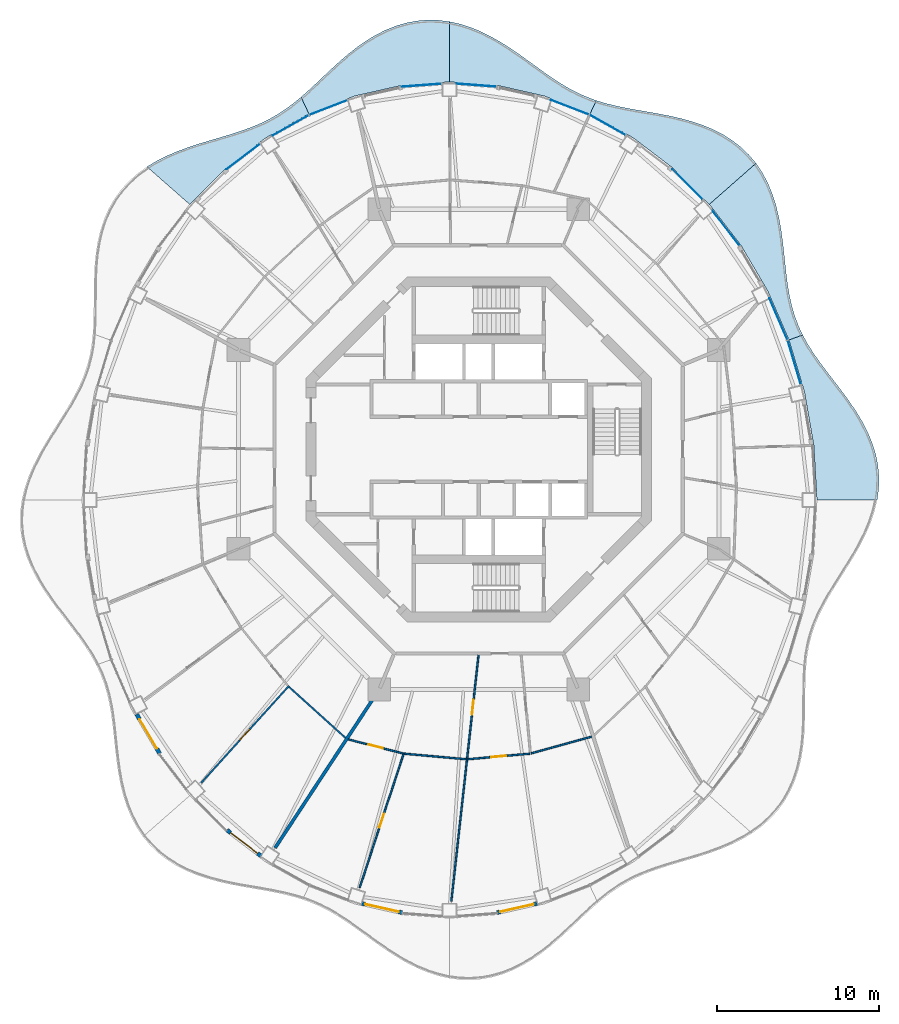
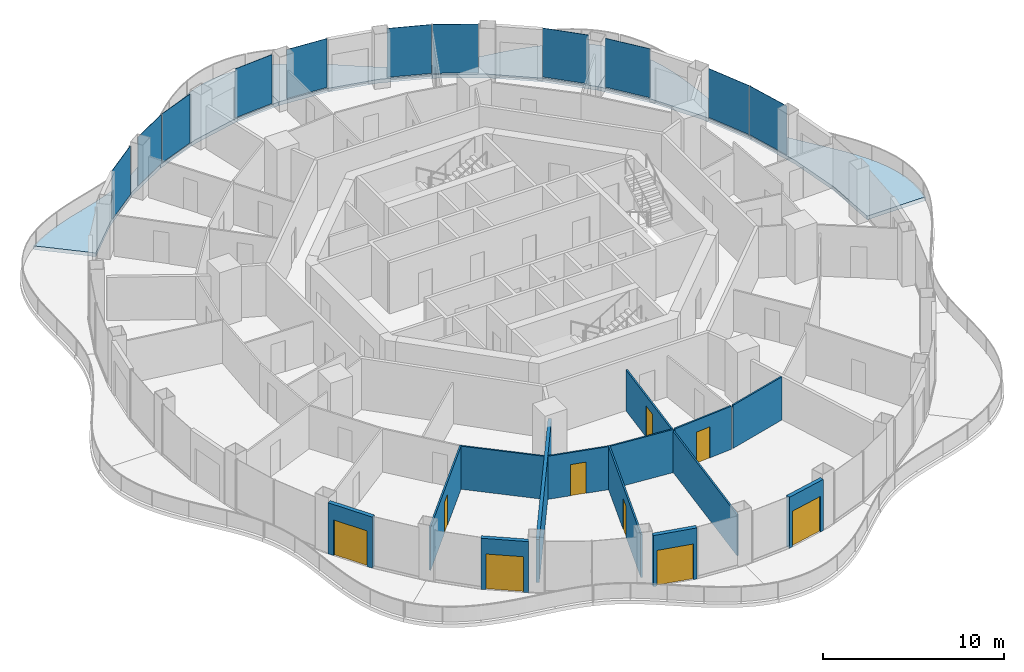
# One storey, part 9 of 17: 13 walls, 11 plates, 9 doors, 6 slabs, 9 openings, 11 elements without a shape of their own.
"""IFC4 building model written with IfcOpenShell, lengths in metres."""

from ifc_helpers import new_model, si_unit, direction, frame, frame_2d, origin, origin_2d, place, context, subcontext, project, spatial, polyline, rectangle, outline, extrude, material, layer, layer_set, type_object, element, fill, aggregate, save


model = new_model("IFC4")

# Units and contexts
model_context = context("Model", 3, precision=1e-05, world=origin(), true_north=direction((0.0, 1.0)))
body_context = subcontext(model_context, "Body", "Model", "MODEL_VIEW")
ifc_project = project(units=[si_unit("LENGTHUNIT", "METRE"), si_unit("AREAUNIT", "SQUARE_METRE"), si_unit("VOLUMEUNIT", "CUBIC_METRE"), si_unit("PLANEANGLEUNIT", "RADIAN"), si_unit("MASSUNIT", "GRAM", prefix="KILO")], contexts=[model_context])

# Site, building, storey
site_placement = place(None, origin())
site = spatial("IfcSite", under=ifc_project, at=site_placement, CompositionType="ELEMENT")
building_placement = place(site_placement, origin())
building = spatial("IfcBuilding", under=site, at=building_placement, Name="Nagisa Residences", CompositionType="ELEMENT")
storey_placement = place(building_placement, frame((0.0, 0.0, 277.0)))
storey = spatial("IfcBuildingStorey", under=building, at=storey_placement, Name="L70", CompositionType="ELEMENT", Elevation=277.0)

# Slabs
ifc_material_1 = material(Name="Concrete C40/50", Category="concrete")
ifc_layer_1 = layer(ifc_material_1, 0.25)
ifc_layer_set_1 = layer_set([ifc_layer_1], Name="BALCONY SLAB 250")
slab_type = type_object("IfcSlabType", Name="BALCONY SLAB 250", PredefinedType="FLOOR", material=ifc_layer_set_1)
slab_1_placement = place(storey_placement, frame((0.0, 0.0, -0.25)))
element("IfcSlab", 1, at=slab_1_placement, inside=storey, type_object=slab_type, Name="slab:L70:bal00", PredefinedType="FLOOR", context=body_context, shape_type="SweptSolid", body=[
    extrude(outline(polyline([(24.529541015625, -3.11767578125), (24.623291015625, -2.407958984375), (24.63916015625, -1.69677734375), (24.575439453125, -0.988525390625), (24.43359375, -0.287841796875), (24.217529296875, 0.401611328125), (23.934326171875, 1.076171875), (23.593505859375, 1.73388671875), (23.205810546875, 2.373046875), (22.783935546875, 2.99365234375), (22.34130859375, 3.5966796875), (21.891357421875, 4.1845703125), (21.447021484375, 4.7607421875), (21.020751953125, 5.3291015625), (20.622802734375, 5.89501953125), (20.261474609375, 6.46337890625), (19.94287109375, 7.0400390625), (19.09814453125, 6.732666015625), (20.04931640625, 3.544189453125), (20.62646484375, 0.241943359375), (20.820068359375, -3.11767578125), (24.529541015625, -3.11767578125)])), origin(), (0.0, 0.0, 1.0), 0.25),
])
slab_2_placement = place(storey_placement, frame((0.0, 0.0, -0.25)))
element("IfcSlab", 2, at=slab_2_placement, inside=storey, type_object=slab_type, Name="slab:L70:bal01", PredefinedType="FLOOR", context=body_context, shape_type="SweptSolid", body=[
    extrude(outline(polyline([(19.94287109375, 7.0400390625), (19.677978515625, 7.611328125), (19.456787109375, 8.19873046875), (19.277099609375, 8.805908203125), (19.134765625, 9.4345703125), (19.023193359375, 10.08544921875), (18.934326171875, 10.75830078125), (18.858154296875, 11.45068359375), (18.784423828125, 12.158935546875), (18.70166015625, 12.87841796875), (18.598876953125, 13.602294921875), (18.4658203125, 14.32373046875), (18.292724609375, 15.03466796875), (18.07177734375, 15.726806640625), (17.796630859375, 16.3916015625), (17.462890625, 17.021484375), (17.06884765625, 17.60888671875), (14.19482421875, 15.083251953125), (16.145751953125, 12.5517578125), (17.78955078125, 9.752197265625), (19.09814453125, 6.732666015625), (19.94287109375, 7.0400390625)])), origin(), (0.0, 0.0, 1.0), 0.25),
])
slab_3_placement = place(storey_placement, frame((0.0, 0.0, -0.25)))
element("IfcSlab", 3, at=slab_3_placement, inside=storey, type_object=slab_type, Name="slab:L70:bal02", PredefinedType="FLOOR", context=body_context, shape_type="SweptSolid", body=[
    extrude(outline(polyline([(17.06884765625, 17.60888671875), (16.636962890625, 18.1240234375), (16.152587890625, 18.591552734375), (15.619140625, 19.009033203125), (15.041748046875, 19.375244140625), (14.427001953125, 19.69140625), (13.781982421875, 19.9599609375), (13.11474609375, 20.18505859375), (12.433349609375, 20.3720703125), (11.745361328125, 20.528564453125), (11.05859375, 20.662109375), (10.37939453125, 20.78173828125), (9.713134765625, 20.896240234375), (9.06396484375, 21.0146484375), (8.434814453125, 21.145751953125), (7.826416015625, 21.296875), (7.239013671875, 21.474609375), (6.856201171875, 20.6630859375), (9.510009765625, 19.173828125), (11.97021484375, 17.30322265625), (14.19482421875, 15.083251953125), (17.06884765625, 17.60888671875)])), origin(), (0.0, 0.0, 1.0), 0.25),
])
slab_4_placement = place(storey_placement, frame((0.0, 0.0, -0.25)))
element("IfcSlab", 4, at=slab_4_placement, inside=storey, type_object=slab_type, Name="slab:L70:bal03", PredefinedType="FLOOR", context=body_context, shape_type="SweptSolid", body=[
    extrude(outline(polyline([(7.239013671875, 21.474609375), (6.690673828125, 21.676025390625), (6.157470703125, 21.909423828125), (5.635498046875, 22.176025390625), (5.121337890625, 22.475341796875), (4.609619140625, 22.804443359375), (4.09619140625, 23.1591796875), (3.576171875, 23.53369140625), (3.045654296875, 23.920166015625), (2.5009765625, 24.310546875), (1.939453125, 24.69482421875), (1.359619140625, 25.063232421875), (0.760498046875, 25.405517578125), (0.142822265625, 25.71240234375), (-0.49169921875, 25.97412109375), (-1.140380859375, 26.182861328125), (-1.800048828125, 26.331787109375), (-1.800048828125, 22.622314453125), (1.152587890625, 22.402099609375), (4.054443359375, 21.745361328125), (6.856201171875, 20.6630859375), (7.239013671875, 21.474609375)])), origin(), (0.0, 0.0, 1.0), 0.25),
])
slab_5_placement = place(storey_placement, frame((0.0, 0.0, -0.25)))
element("IfcSlab", 5, at=slab_5_placement, inside=storey, type_object=slab_type, Name="slab:L70:bal04", PredefinedType="FLOOR", context=body_context, shape_type="SweptSolid", body=[
    extrude(outline(polyline([(-1.800048828125, 26.331787109375), (-2.466064453125, 26.415771484375), (-3.134033203125, 26.431396484375), (-3.799072265625, 26.37744140625), (-4.456298828125, 26.25439453125), (-5.10107421875, 26.065185546875), (-5.7294921875, 25.813720703125), (-6.338623046875, 25.506591796875), (-6.92578125, 25.1513671875), (-7.490234375, 24.75634765625), (-8.03173828125, 24.33154296875), (-8.5517578125, 23.886474609375), (-9.05224609375, 23.43115234375), (-9.53662109375, 22.97509765625), (-10.00927734375, 22.527099609375), (-10.474609375, 22.0947265625), (-10.93798828125, 21.684814453125), (-10.456298828125, 20.6630859375), (-7.654541015625, 21.745361328125), (-4.75244140625, 22.402099609375), (-1.800048828125, 22.622314453125), (-1.800048828125, 26.331787109375)])), origin(), (0.0, 0.0, 1.0), 0.25),
])
slab_6_placement = place(storey_placement, frame((0.0, 0.0, -0.25)))
element("IfcSlab", 6, at=slab_6_placement, inside=storey, type_object=slab_type, Name="slab:L70:bal05", PredefinedType="FLOOR", context=body_context, shape_type="SweptSolid", body=[
    extrude(outline(polyline([(-10.93798828125, 21.684814453125), (-11.422119140625, 21.288330078125), (-11.91552734375, 20.9248046875), (-12.423095703125, 20.595703125), (-12.949462890625, 20.30078125), (-13.497314453125, 20.037353515625), (-14.06884765625, 19.8017578125), (-14.6640625, 19.587890625), (-15.281982421875, 19.389404296875), (-15.919677734375, 19.197998046875), (-16.57275390625, 19.005615234375), (-17.2353515625, 18.803955078125), (-17.90087890625, 18.584716796875), (-18.56103515625, 18.34033203125), (-19.20751953125, 18.064208984375), (-19.83203125, 17.750732421875), (-20.42626953125, 17.395751953125), (-17.794677734375, 15.083251953125), (-15.570068359375, 17.30322265625), (-13.110107421875, 19.173828125), (-10.456298828125, 20.6630859375), (-10.93798828125, 21.684814453125)])), origin(), (0.0, 0.0, 1.0), 0.25),
])

# Curtain wall, plate
ifc_material_2 = material(Name="Concrete-coloured aluminium curtain wall system", Category="concrete")
ifc_layer_2 = layer(ifc_material_2, 0.159912109375)
ifc_layer_set_2 = layer_set([ifc_layer_2], Name="CW1 CURTAIN WALL")
curtain_wall_type = type_object("IfcCurtainWallType", Name="CW1 CURTAIN WALL", PredefinedType="NOTDEFINED", material=ifc_layer_set_2)
curtain_wall_1_placement = place(storey_placement, origin())
curtain_wall_1 = element("IfcCurtainWall", 7, at=curtain_wall_1_placement, inside=storey, type_object=curtain_wall_type, Name="cw:CW1:L70:02", PredefinedType="NOTDEFINED")
ifc_material_3 = material(Name="Clear laminated glass", Category="glass")
ifc_layer_3 = layer(ifc_material_3, 0.028076171875)
ifc_layer_set_3 = layer_set([ifc_layer_3], Name="CW1 GLASS PANEL")
plate_type = type_object("IfcPlateType", Name="CW1 GLASS PANEL", PredefinedType="CURTAIN_PANEL", material=ifc_layer_set_3)
plate_1_placement = place(storey_placement, frame((19.424072265625, 5.35986328125, 0.14990234375), z_axis=(0.0, 0.0, 1.0), x_axis=(-0.285860274038, 0.958271310082, 0.0)))
plate_1 = element("IfcPlate", 8, at=plate_1_placement, type_object=plate_type, Name="CW1 panel", PredefinedType="CURTAIN_PANEL", context=body_context, shape_type="SweptSolid", body=[
    extrude(rectangle(XDim=2.817138671875, YDim=0.028076171875, at=origin_2d()), origin(), (0.0, 0.0, 1.0), 3.2900390625),
])
aggregate(curtain_wall_1, [plate_1])

curtain_wall_2_placement = place(storey_placement, origin())
curtain_wall_2 = element("IfcCurtainWall", 9, at=curtain_wall_2_placement, inside=storey, type_object=curtain_wall_type, Name="cw:CW1:L70:03", PredefinedType="NOTDEFINED")
plate_2_placement = place(storey_placement, frame((18.447998046875, 8.03173828125, 0.14990234375), z_axis=(0.0, 0.0, 1.0), x_axis=(-0.397635934147, 0.917543276295, 0.0)))
plate_2 = element("IfcPlate", 10, at=plate_2_placement, type_object=plate_type, Name="CW1 panel", PredefinedType="CURTAIN_PANEL", context=body_context, shape_type="SweptSolid", body=[
    extrude(rectangle(XDim=2.781005859375, YDim=0.028076171875, at=origin_2d()), origin(), (0.0, 0.0, 1.0), 3.2900390625),
])
aggregate(curtain_wall_2, [plate_2])

curtain_wall_3_placement = place(storey_placement, origin())
curtain_wall_3 = element("IfcCurtainWall", 11, at=curtain_wall_3_placement, inside=storey, type_object=curtain_wall_type, Name="cw:CW1:L70:05", PredefinedType="NOTDEFINED")
plate_3_placement = place(storey_placement, frame((15.225830078125, 13.6142578125, 0.14990234375), z_axis=(0.0, 0.0, 1.0), x_axis=(-0.610429828235, 0.792070340816, 0.0)))
plate_3 = element("IfcPlate", 12, at=plate_3_placement, type_object=plate_type, Name="CW1 panel", PredefinedType="CURTAIN_PANEL", context=body_context, shape_type="SweptSolid", body=[
    extrude(rectangle(XDim=2.68603515625, YDim=0.028076171875, at=origin_2d()), origin(), (0.0, 0.0, 1.0), 3.2900390625),
])
aggregate(curtain_wall_3, [plate_3])

curtain_wall_4_placement = place(storey_placement, origin())
curtain_wall_4 = element("IfcCurtainWall", 13, at=curtain_wall_4_placement, inside=storey, type_object=curtain_wall_type, Name="cw:CW1:L70:06", PredefinedType="NOTDEFINED")
plate_4_placement = place(storey_placement, frame((12.845458984375, 16.316650390625, 0.14990234375), z_axis=(0.0, 0.0, 1.0), x_axis=(-0.707835924016, 0.706376885714, 0.0)))
plate_4 = element("IfcPlate", 14, at=plate_4_placement, type_object=plate_type, Name="CW1 panel", PredefinedType="CURTAIN_PANEL", context=body_context, shape_type="SweptSolid", body=[
    extrude(rectangle(XDim=2.6328125, YDim=0.028076171875, at=origin_2d()), origin(), (0.0, 0.0, 1.0), 3.2900390625),
])
aggregate(curtain_wall_4, [plate_4])

curtain_wall_5_placement = place(storey_placement, origin())
curtain_wall_5 = element("IfcCurtainWall", 15, at=curtain_wall_5_placement, inside=storey, type_object=curtain_wall_type, Name="cw:CW1:L70:08", PredefinedType="NOTDEFINED")
plate_5_placement = place(storey_placement, frame((7.921630859375, 19.973388671875, 0.14990234375), z_axis=(0.0, 0.0, 1.0), x_axis=(-0.872072377523, 0.489376918501, 0.0)))
plate_5 = element("IfcPlate", 16, at=plate_5_placement, type_object=plate_type, Name="CW1 panel", PredefinedType="CURTAIN_PANEL", context=body_context, shape_type="SweptSolid", body=[
    extrude(rectangle(XDim=2.532958984375, YDim=0.028076171875, at=origin_2d()), origin(), (0.0, 0.0, 1.0), 3.2900390625),
])
aggregate(curtain_wall_5, [plate_5])

curtain_wall_6_placement = place(storey_placement, origin())
curtain_wall_6 = element("IfcCurtainWall", 17, at=curtain_wall_6_placement, inside=storey, type_object=curtain_wall_type, Name="cw:CW1:L70:09", PredefinedType="NOTDEFINED")
plate_6_placement = place(storey_placement, frame((5.6083984375, 21.059326171875, 0.14990234375), z_axis=(0.0, 0.0, 1.0), x_axis=(-0.932825759707, 0.360327770268, 0.0)))
plate_6 = element("IfcPlate", 18, at=plate_6_placement, type_object=plate_type, Name="CW1 panel", PredefinedType="CURTAIN_PANEL", context=body_context, shape_type="SweptSolid", body=[
    extrude(rectangle(XDim=2.49365234375, YDim=0.028076171875, at=origin_2d()), origin(), (0.0, 0.0, 1.0), 3.2900390625),
])
aggregate(curtain_wall_6, [plate_6])

curtain_wall_7_placement = place(storey_placement, origin())
curtain_wall_7 = element("IfcCurtainWall", 19, at=curtain_wall_7_placement, inside=storey, type_object=curtain_wall_type, Name="cw:CW1:L70:11", PredefinedType="NOTDEFINED")
plate_7_placement = place(storey_placement, frame((-0.13525390625, 22.41796875, 0.14990234375), z_axis=(0.0, 0.0, 1.0), x_axis=(-0.997230168512, 0.074377355493, 0.0)))
plate_7 = element("IfcPlate", 20, at=plate_7_placement, type_object=plate_type, Name="CW1 panel", PredefinedType="CURTAIN_PANEL", context=body_context, shape_type="SweptSolid", body=[
    extrude(rectangle(XDim=2.45068359375, YDim=0.028076171875, at=origin_2d()), origin(), (0.0, 0.0, 1.0), 3.2900390625),
])
aggregate(curtain_wall_7, [plate_7])

curtain_wall_8_placement = place(storey_placement, origin())
curtain_wall_8 = element("IfcCurtainWall", 21, at=curtain_wall_8_placement, inside=storey, type_object=curtain_wall_type, Name="cw:CW1:L70:12", PredefinedType="NOTDEFINED")
plate_8_placement = place(storey_placement, frame((-3.524658203125, 22.41357421875, 0.14990234375), z_axis=(0.0, 0.0, 1.0), x_axis=(-0.997230168512, -0.074377355493, 0.0)))
plate_8 = element("IfcPlate", 22, at=plate_8_placement, type_object=plate_type, Name="CW1 panel", PredefinedType="CURTAIN_PANEL", context=body_context, shape_type="SweptSolid", body=[
    extrude(rectangle(XDim=2.45068359375, YDim=0.028076171875, at=origin_2d()), origin(), (0.0, 0.0, 1.0), 3.2900390625),
])
aggregate(curtain_wall_8, [plate_8])

curtain_wall_9_placement = place(storey_placement, origin())
curtain_wall_9 = element("IfcCurtainWall", 23, at=curtain_wall_9_placement, inside=storey, type_object=curtain_wall_type, Name="cw:CW1:L70:14", PredefinedType="NOTDEFINED")
plate_9_placement = place(storey_placement, frame((-9.264404296875, 21.03759765625, 0.14990234375), z_axis=(0.0, 0.0, 1.0), x_axis=(-0.932825759707, -0.360327770268, 0.0)))
plate_9 = element("IfcPlate", 24, at=plate_9_placement, type_object=plate_type, Name="CW1 panel", PredefinedType="CURTAIN_PANEL", context=body_context, shape_type="SweptSolid", body=[
    extrude(rectangle(XDim=2.49365234375, YDim=0.028076171875, at=origin_2d()), origin(), (0.0, 0.0, 1.0), 3.2900390625),
])
aggregate(curtain_wall_9, [plate_9])

curtain_wall_10_placement = place(storey_placement, origin())
curtain_wall_10 = element("IfcCurtainWall", 25, at=curtain_wall_10_placement, inside=storey, type_object=curtain_wall_type, Name="cw:CW1:L70:15", PredefinedType="NOTDEFINED")
plate_10_placement = place(storey_placement, frame((-11.573974609375, 19.944091796875, 0.14990234375), z_axis=(0.0, 0.0, 1.0), x_axis=(-0.872072377523, -0.489376918501, 0.0)))
plate_10 = element("IfcPlate", 26, at=plate_10_placement, type_object=plate_type, Name="CW1 panel", PredefinedType="CURTAIN_PANEL", context=body_context, shape_type="SweptSolid", body=[
    extrude(rectangle(XDim=2.532958984375, YDim=0.028076171875, at=origin_2d()), origin(), (0.0, 0.0, 1.0), 3.2900390625),
])
aggregate(curtain_wall_10, [plate_10])

curtain_wall_11_placement = place(storey_placement, origin())
curtain_wall_11 = element("IfcCurtainWall", 27, at=curtain_wall_11_placement, inside=storey, type_object=curtain_wall_type, Name="cw:CW1:L70:16", PredefinedType="NOTDEFINED")
plate_11_placement = place(storey_placement, frame((-14.49462890625, 18.0205078125, 0.14990234375), z_axis=(0.0, 0.0, 1.0), x_axis=(-0.79603132756, -0.605255421737, 0.0)))
plate_11 = element("IfcPlate", 28, at=plate_11_placement, type_object=plate_type, Name="CW1 panel", PredefinedType="CURTAIN_PANEL", context=body_context, shape_type="SweptSolid", body=[
    extrude(rectangle(XDim=2.58056640625, YDim=0.028076171875, at=origin_2d()), origin(), (0.0, 0.0, 1.0), 3.2900390625),
])
aggregate(curtain_wall_11, [plate_11])

# Wall
ifc_material_4 = material(Name="Gypsum board on steel studs", Category="steel")
ifc_layer_4 = layer(ifc_material_4, 0.199951171875)
ifc_layer_set_4 = layer_set([ifc_layer_4], Name="Apartment compartment wall EI60 200")
wall_type_1 = type_object("IfcWallType", Name="Apartment compartment wall EI60 200", PredefinedType="PARTITIONING", material=ifc_layer_set_4)
wall_1_placement = place(storey_placement, frame((-6.150634765625, -14.82373046875, 0.0), z_axis=(0.0, 0.0, 1.0), x_axis=(-0.549345577828, -0.835595258556, 0.0)))
element("IfcWall", 29, at=wall_1_placement, inside=storey, type_object=wall_type_1, Name="wall:L70:u07", PredefinedType="PARTITIONING", context=body_context, shape_type="SweptSolid", body=[
    extrude(rectangle(XDim=11.619873046875, YDim=0.199951171875, at=frame_2d((5.81005859375, 0.0))), origin(), (0.0, 0.0, 1.0), 2.905029296875),
])

# Wall, opening, door
ifc_material_5 = material(Name="Gypsum board on steel studs", Category="steel")
ifc_layer_5 = layer(ifc_material_5, 0.10009765625)
ifc_layer_set_5 = layer_set([ifc_layer_5], Name="Apartment partition 100")
wall_type_2 = type_object("IfcWallType", Name="Apartment partition 100", PredefinedType="PARTITIONING", material=ifc_layer_set_5)
wall_2_placement = place(storey_placement, frame((-11.67919921875, -14.55712890625, 0.0), z_axis=(0.0, 0.0, 1.0), x_axis=(-0.670800011545, -0.741638284146, 0.0)))
wall_2 = element("IfcWall", 30, at=wall_2_placement, inside=storey, type_object=wall_type_2, Name="wall:L70:u51", PredefinedType="PARTITIONING", context=body_context, shape_type="SweptSolid", body=[
    extrude(rectangle(XDim=8.068115234375, YDim=0.10009765625, at=frame_2d((4.0341796875, 0.0))), origin(), (0.0, 0.0, 1.0), 2.905029296875),
])
opening_1_placement = place(wall_2_placement, frame((3.609130859375, 0.0, 0.0)))
opening_1 = element("IfcOpeningElement", 31, at=opening_1_placement, cuts=wall_2, Name="Opening L70-U22", PredefinedType="OPENING", context=body_context, shape_type="SweptSolid", body=[
    extrude(rectangle(XDim=0.89990234375, YDim=2.10009765625, at=frame_2d((0.449951171875, 1.050048828125))), frame((0.0, 0.06005859375, 0.0), z_axis=(0.0, -1.0, 0.0), x_axis=(1.0, 0.0, 0.0)), (0.0, 0.0, 1.0), 0.1201171875),
])
ifc_material_6 = material(Name="Timber door set", Category="wood")
door_type_1 = type_object("IfcDoorType", Name="Apartment door 900x2100", OperationType="NOTDEFINED", PredefinedType="DOOR", material=ifc_material_6)
door_1_placement = place(opening_1_placement, origin())
door_1 = element("IfcDoor", 32, at=door_1_placement, inside=storey, type_object=door_type_1, Name="Door to master bedroom, Apartment 70C", OperationType="SINGLE_SWING_RIGHT", OverallHeight=2.10009765625, OverallWidth=0.89990234375, PredefinedType="DOOR", context=body_context, shape_type="SweptSolid", body=[
    extrude(rectangle(XDim=0.89990234375, YDim=2.10009765625, at=frame_2d((0.449951171875, 1.050048828125))), frame((0.0, 0.02490234375, 0.0), z_axis=(0.0, -1.0, 0.0), x_axis=(1.0, 0.0, 0.0)), (0.0, 0.0, 1.0), 0.050048828125),
])
fill(opening_1, door_1)

# Wall
wall_3_placement = place(storey_placement, frame((-11.675537109375, -14.627685546875, 0.0), z_axis=(0.0, 0.0, 1.0), x_axis=(0.74245829867, -0.669892285921, 0.0)))
element("IfcWall", 33, at=wall_3_placement, inside=storey, type_object=wall_type_2, Name="wall:L70:u52", PredefinedType="PARTITIONING", context=body_context, shape_type="SweptSolid", body=[
    extrude(rectangle(XDim=4.679931640625, YDim=0.10009765625, at=frame_2d((2.33984375, 0.0))), origin(), (0.0, 0.0, 1.0), 2.905029296875),
])

# Wall, opening, door
wall_4_placement = place(storey_placement, frame((-8.02978515625, -17.8544921875, 0.0), z_axis=(0.0, 0.0, 1.0), x_axis=(0.968441967324, -0.249239154077, 0.0)))
wall_4 = element("IfcWall", 34, at=wall_4_placement, inside=storey, type_object=wall_type_2, Name="wall:L70:u53", PredefinedType="PARTITIONING", context=body_context, shape_type="SweptSolid", body=[
    extrude(rectangle(XDim=3.467529296875, YDim=0.10009765625, at=frame_2d((1.73388671875, 0.0))), origin(), (0.0, 0.0, 1.0), 2.905029296875),
])
opening_2_placement = place(wall_4_placement, frame((1.28369140625, 0.0, 0.0)))
opening_2 = element("IfcOpeningElement", 35, at=opening_2_placement, cuts=wall_4, Name="Opening L70-U28", PredefinedType="OPENING", context=body_context, shape_type="SweptSolid", body=[
    extrude(rectangle(XDim=0.89990234375, YDim=2.10009765625, at=frame_2d((0.449951171875, 1.050048828125))), frame((0.0, 0.06005859375, 0.0), z_axis=(0.0, -1.0, 0.0), x_axis=(1.0, 0.0, 0.0)), (0.0, 0.0, 1.0), 0.1201171875),
])
door_2_placement = place(opening_2_placement, frame((0.89990234375, 0.0, 0.0), x_axis=(-1.0, 0.0, 0.0)))
door_2 = element("IfcDoor", 36, at=door_2_placement, inside=storey, type_object=door_type_1, Name="Door to kitchen, Apartment 70D", OperationType="SINGLE_SWING_LEFT", OverallHeight=2.10009765625, OverallWidth=0.89990234375, PredefinedType="DOOR", context=body_context, shape_type="SweptSolid", body=[
    extrude(rectangle(XDim=0.89990234375, YDim=2.10009765625, at=frame_2d((0.449951171875, 1.050048828125))), frame((0.0, 0.02490234375, 0.0), z_axis=(0.0, -1.0, 0.0), x_axis=(1.0, 0.0, 0.0)), (0.0, 0.0, 1.0), 0.050048828125),
])
fill(opening_2, door_2)

wall_5_placement = place(storey_placement, frame((-4.607666015625, -18.68359375, 0.0), z_axis=(0.0, 0.0, 1.0), x_axis=(-0.311419102378, -0.95027266754, 0.0)))
wall_5 = element("IfcWall", 37, at=wall_5_placement, inside=storey, type_object=wall_type_2, Name="wall:L70:u54", PredefinedType="PARTITIONING", context=body_context, shape_type="SweptSolid", body=[
    extrude(rectangle(XDim=8.73486328125, YDim=0.10009765625, at=frame_2d((4.367431640625, 0.0))), origin(), (0.0, 0.0, 1.0), 2.905029296875),
])
opening_3_placement = place(wall_5_placement, frame((3.9423828125, 0.0, 0.0)))
opening_3 = element("IfcOpeningElement", 38, at=opening_3_placement, cuts=wall_5, Name="Opening L70-U29", PredefinedType="OPENING", context=body_context, shape_type="SweptSolid", body=[
    extrude(rectangle(XDim=0.89990234375, YDim=2.10009765625, at=frame_2d((0.449951171875, 1.050048828125))), frame((0.0, 0.06005859375, 0.0), z_axis=(0.0, -1.0, 0.0), x_axis=(1.0, 0.0, 0.0)), (0.0, 0.0, 1.0), 0.1201171875),
])
door_3_placement = place(opening_3_placement, origin())
door_3 = element("IfcDoor", 39, at=door_3_placement, inside=storey, type_object=door_type_1, Name="Door to master bedroom, Apartment 70D", OperationType="SINGLE_SWING_LEFT", OverallHeight=2.10009765625, OverallWidth=0.89990234375, PredefinedType="DOOR", context=body_context, shape_type="SweptSolid", body=[
    extrude(rectangle(XDim=0.89990234375, YDim=2.10009765625, at=frame_2d((0.449951171875, 1.050048828125))), frame((0.0, 0.02490234375, 0.0), z_axis=(0.0, -1.0, 0.0), x_axis=(1.0, 0.0, 0.0)), (0.0, 0.0, 1.0), 0.050048828125),
])
fill(opening_3, door_3)

# Wall
wall_6_placement = place(storey_placement, frame((-4.5732421875, -18.735595703125, 0.0), z_axis=(0.0, 0.0, 1.0), x_axis=(0.995986472869, -0.089503887414, 0.0)))
element("IfcWall", 40, at=wall_6_placement, inside=storey, type_object=wall_type_2, Name="wall:L70:u55", PredefinedType="PARTITIONING", context=body_context, shape_type="SweptSolid", body=[
    extrude(rectangle(XDim=3.81884765625, YDim=0.10009765625, at=frame_2d((1.909423828125, 0.0))), origin(), (0.0, 0.0, 1.0), 2.905029296875),
])

# Wall, opening, door
wall_7_placement = place(storey_placement, frame((-0.010986328125, -12.6640625, 0.0), z_axis=(0.0, 0.0, 1.0), x_axis=(-0.109805889692, -0.993953050495, 0.0)))
wall_7 = element("IfcWall", 41, at=wall_7_placement, inside=storey, type_object=wall_type_2, Name="wall:L70:u56", PredefinedType="PARTITIONING", context=body_context, shape_type="SweptSolid", body=[
    extrude(rectangle(XDim=15.248046875, YDim=0.10009765625, at=frame_2d((7.6240234375, 0.0))), origin(), (0.0, 0.0, 1.0), 2.761962890625),
])
opening_4_placement = place(wall_7_placement, frame((2.7783203125, 0.0, 0.0)))
opening_4 = element("IfcOpeningElement", 42, at=opening_4_placement, cuts=wall_7, Name="Opening L70-U26", PredefinedType="OPENING", context=body_context, shape_type="SweptSolid", body=[
    extrude(rectangle(XDim=0.89990234375, YDim=2.10009765625, at=frame_2d((0.449951171875, 1.050048828125))), frame((0.0, 0.06005859375, 0.0), z_axis=(0.0, -1.0, 0.0), x_axis=(1.0, 0.0, 0.0)), (0.0, 0.0, 1.0), 0.1201171875),
])
door_4_placement = place(opening_4_placement, frame((0.89990234375, 0.0, 0.0), x_axis=(-1.0, 0.0, 0.0)))
door_4 = element("IfcDoor", 43, at=door_4_placement, inside=storey, type_object=door_type_1, Name="Door to store, Apartment 70D", OperationType="SINGLE_SWING_LEFT", OverallHeight=2.10009765625, OverallWidth=0.89990234375, PredefinedType="DOOR", context=body_context, shape_type="SweptSolid", body=[
    extrude(rectangle(XDim=0.89990234375, YDim=2.10009765625, at=frame_2d((0.449951171875, 1.050048828125))), frame((0.0, 0.02490234375, 0.0), z_axis=(0.0, -1.0, 0.0), x_axis=(1.0, 0.0, 0.0)), (0.0, 0.0, 1.0), 0.050048828125),
])
fill(opening_4, door_4)

wall_8_placement = place(storey_placement, frame((-0.670166015625, -19.077392578125, 0.0), z_axis=(0.0, 0.0, 1.0), x_axis=(0.995986472869, 0.089503887414, 0.0)))
wall_8 = element("IfcWall", 44, at=wall_8_placement, inside=storey, type_object=wall_type_2, Name="wall:L70:u57", PredefinedType="PARTITIONING", context=body_context, shape_type="SweptSolid", body=[
    extrude(rectangle(XDim=3.81884765625, YDim=0.10009765625, at=frame_2d((1.909423828125, 0.0))), origin(), (0.0, 0.0, 1.0), 2.905029296875),
])
opening_5_placement = place(wall_8_placement, frame((1.45947265625, 0.0, 0.0)))
opening_5 = element("IfcOpeningElement", 45, at=opening_5_placement, cuts=wall_8, Name="Opening L70-U30", PredefinedType="OPENING", context=body_context, shape_type="SweptSolid", body=[
    extrude(rectangle(XDim=0.89990234375, YDim=2.10009765625, at=frame_2d((0.449951171875, 1.050048828125))), frame((0.0, 0.06005859375, 0.0), z_axis=(0.0, -1.0, 0.0), x_axis=(1.0, 0.0, 0.0)), (0.0, 0.0, 1.0), 0.1201171875),
])
door_5_placement = place(opening_5_placement, frame((0.89990234375, 0.0, 0.0), x_axis=(-1.0, 0.0, 0.0)))
door_5 = element("IfcDoor", 46, at=door_5_placement, inside=storey, type_object=door_type_1, Name="Door to living room, Apartment 70D", OperationType="SINGLE_SWING_LEFT", OverallHeight=2.10009765625, OverallWidth=0.89990234375, PredefinedType="DOOR", context=body_context, shape_type="SweptSolid", body=[
    extrude(rectangle(XDim=0.89990234375, YDim=2.10009765625, at=frame_2d((0.449951171875, 1.050048828125))), frame((0.0, 0.02490234375, 0.0), z_axis=(0.0, -1.0, 0.0), x_axis=(1.0, 0.0, 0.0)), (0.0, 0.0, 1.0), 0.050048828125),
])
fill(opening_5, door_5)

# Wall
wall_9_placement = place(storey_placement, frame((3.231201171875, -18.7177734375, 0.0), z_axis=(0.0, 0.0, 1.0), x_axis=(0.963606817151, 0.267323590318, 0.0)))
element("IfcWall", 47, at=wall_9_placement, inside=storey, type_object=wall_type_2, Name="wall:L70:u59", PredefinedType="PARTITIONING", context=body_context, shape_type="SweptSolid", body=[
    extrude(rectangle(XDim=3.85302734375, YDim=0.10009765625, at=frame_2d((1.926513671875, 0.0))), origin(), (0.0, 0.0, 1.0), 2.905029296875),
])

# Wall, opening, door
ifc_material_7 = material(Name="Precast concrete C40/50", Category="concrete")
ifc_layer_6 = layer(ifc_material_7, 0.25)
ifc_layer_set_6 = layer_set([ifc_layer_6], Name="BALCONY DOOR WALL 250")
wall_type_3 = type_object("IfcWallType", Name="BALCONY DOOR WALL 250", PredefinedType="SOLIDWALL", material=ifc_layer_set_6)
wall_10_placement = place(storey_placement, frame((-19.637939453125, -18.723876953125, 0.0), z_axis=(0.0, 0.0, 1.0), x_axis=(-0.506371364425, 0.862315511452, 0.0)))
wall_10 = element("IfcWall", 48, at=wall_10_placement, inside=storey, type_object=wall_type_3, Name="wall:L70:bay28", PredefinedType="SOLIDWALL", context=body_context, shape_type="SweptSolid", body=[
    extrude(rectangle(XDim=2.79638671875, YDim=0.25, at=frame_2d((1.398193359375, 0.0))), origin(), (0.0, 0.0, 1.0), 3.43994140625),
])
opening_6_placement = place(wall_10_placement, frame((0.34814453125, 0.0, 0.0)))
opening_6 = element("IfcOpeningElement", 49, at=opening_6_placement, cuts=wall_10, Name="Opening BD-L70-10", PredefinedType="OPENING", context=body_context, shape_type="SweptSolid", body=[
    extrude(rectangle(XDim=2.10009765625, YDim=2.39990234375, at=frame_2d((1.050048828125, 1.199951171875))), frame((0.0, 0.135009765625, 0.0), z_axis=(0.0, -1.0, 0.0), x_axis=(1.0, 0.0, 0.0)), (0.0, 0.0, 1.0), 0.27001953125),
])
ifc_material_8 = material(Name="Aluminium and clear glass", Category="aluminium")
door_type_2 = type_object("IfcDoorType", Name="BALCONY SLIDING DOOR 2100x2400", OperationType="SLIDING_TO_LEFT", PredefinedType="DOOR", material=ifc_material_8)
door_6_placement = place(opening_6_placement, origin())
door_6 = element("IfcDoor", 50, at=door_6_placement, inside=storey, type_object=door_type_2, Name="door:L70:bay28", OperationType="SLIDING_TO_LEFT", OverallHeight=2.39990234375, OverallWidth=2.10009765625, PredefinedType="DOOR", context=body_context, shape_type="SweptSolid", body=[
    extrude(rectangle(XDim=2.10009765625, YDim=2.39990234375, at=frame_2d((1.050048828125, 1.199951171875))), frame((0.0, 0.02490234375, 0.0), z_axis=(0.0, -1.0, 0.0), x_axis=(1.0, 0.0, 0.0)), (0.0, 0.0, 1.0), 0.050048828125),
])
fill(opening_6, door_6)

wall_11_placement = place(storey_placement, frame((-13.392578125, -25.037353515625, 0.0), z_axis=(0.0, 0.0, 1.0), x_axis=(-0.796055284084, 0.605223912847, 0.0)))
wall_11 = element("IfcWall", 51, at=wall_11_placement, inside=storey, type_object=wall_type_3, Name="wall:L70:bay31", PredefinedType="SOLIDWALL", context=body_context, shape_type="SweptSolid", body=[
    extrude(rectangle(XDim=2.640625, YDim=0.25, at=frame_2d((1.3203125, 0.0))), origin(), (0.0, 0.0, 1.0), 3.43994140625),
])
opening_7_placement = place(wall_11_placement, frame((0.270263671875, 0.0, 0.0)))
opening_7 = element("IfcOpeningElement", 52, at=opening_7_placement, cuts=wall_11, Name="Opening BD-L70-11", PredefinedType="OPENING", context=body_context, shape_type="SweptSolid", body=[
    extrude(rectangle(XDim=2.10009765625, YDim=2.39990234375, at=frame_2d((1.050048828125, 1.199951171875))), frame((0.0, 0.135009765625, 0.0), z_axis=(0.0, -1.0, 0.0), x_axis=(1.0, 0.0, 0.0)), (0.0, 0.0, 1.0), 0.27001953125),
])
door_7_placement = place(opening_7_placement, origin())
door_7 = element("IfcDoor", 53, at=door_7_placement, inside=storey, type_object=door_type_2, Name="door:L70:bay31", OperationType="SLIDING_TO_LEFT", OverallHeight=2.39990234375, OverallWidth=2.10009765625, PredefinedType="DOOR", context=body_context, shape_type="SweptSolid", body=[
    extrude(rectangle(XDim=2.10009765625, YDim=2.39990234375, at=frame_2d((1.050048828125, 1.199951171875))), frame((0.0, 0.02490234375, 0.0), z_axis=(0.0, -1.0, 0.0), x_axis=(1.0, 0.0, 0.0)), (0.0, 0.0, 1.0), 0.050048828125),
])
fill(opening_7, door_7)

wall_12_placement = place(storey_placement, frame((-4.724853515625, -28.515625, 0.0), z_axis=(0.0, 0.0, 1.0), x_axis=(-0.975319584032, 0.220797891756, 0.0)))
wall_12 = element("IfcWall", 54, at=wall_12_placement, inside=storey, type_object=wall_type_3, Name="wall:L70:bay34", PredefinedType="SOLIDWALL", context=body_context, shape_type="SweptSolid", body=[
    extrude(rectangle(XDim=2.525390625, YDim=0.25, at=frame_2d((1.2626953125, 0.0))), origin(), (0.0, 0.0, 1.0), 3.43994140625),
])
opening_8_placement = place(wall_12_placement, frame((0.212646484375, 0.0, 0.0)))
opening_8 = element("IfcOpeningElement", 55, at=opening_8_placement, cuts=wall_12, Name="Opening BD-L70-12", PredefinedType="OPENING", context=body_context, shape_type="SweptSolid", body=[
    extrude(rectangle(XDim=2.10009765625, YDim=2.39990234375, at=frame_2d((1.050048828125, 1.199951171875))), frame((0.0, 0.135009765625, 0.0), z_axis=(0.0, -1.0, 0.0), x_axis=(1.0, 0.0, 0.0)), (0.0, 0.0, 1.0), 0.27001953125),
])
door_8_placement = place(opening_8_placement, origin())
door_8 = element("IfcDoor", 56, at=door_8_placement, inside=storey, type_object=door_type_2, Name="door:L70:bay34", OperationType="SLIDING_TO_LEFT", OverallHeight=2.39990234375, OverallWidth=2.10009765625, PredefinedType="DOOR", context=body_context, shape_type="SweptSolid", body=[
    extrude(rectangle(XDim=2.10009765625, YDim=2.39990234375, at=frame_2d((1.050048828125, 1.199951171875))), frame((0.0, 0.02490234375, 0.0), z_axis=(0.0, -1.0, 0.0), x_axis=(1.0, 0.0, 0.0)), (0.0, 0.0, 1.0), 0.050048828125),
])
fill(opening_8, door_8)

wall_13_placement = place(storey_placement, frame((3.587890625, -27.9580078125, 0.0), z_axis=(0.0, 0.0, 1.0), x_axis=(-0.97531487046, -0.22081871175, 0.0)))
wall_13 = element("IfcWall", 57, at=wall_13_placement, inside=storey, type_object=wall_type_3, Name="wall:L70:bay37", PredefinedType="SOLIDWALL", context=body_context, shape_type="SweptSolid", body=[
    extrude(rectangle(XDim=2.525146484375, YDim=0.25, at=frame_2d((1.2626953125, 0.0))), origin(), (0.0, 0.0, 1.0), 3.43994140625),
])
opening_9_placement = place(wall_13_placement, frame((0.212646484375, 0.0, 0.0)))
opening_9 = element("IfcOpeningElement", 58, at=opening_9_placement, cuts=wall_13, Name="Opening BD-L70-13", PredefinedType="OPENING", context=body_context, shape_type="SweptSolid", body=[
    extrude(rectangle(XDim=2.10009765625, YDim=2.39990234375, at=frame_2d((1.050048828125, 1.199951171875))), frame((0.0, 0.135009765625, 0.0), z_axis=(0.0, -1.0, 0.0), x_axis=(1.0, 0.0, 0.0)), (0.0, 0.0, 1.0), 0.27001953125),
])
door_9_placement = place(opening_9_placement, origin())
door_9 = element("IfcDoor", 59, at=door_9_placement, inside=storey, type_object=door_type_2, Name="door:L70:bay37", OperationType="SLIDING_TO_LEFT", OverallHeight=2.39990234375, OverallWidth=2.10009765625, PredefinedType="DOOR", context=body_context, shape_type="SweptSolid", body=[
    extrude(rectangle(XDim=2.10009765625, YDim=2.39990234375, at=frame_2d((1.050048828125, 1.199951171875))), frame((0.0, 0.02490234375, 0.0), z_axis=(0.0, -1.0, 0.0), x_axis=(1.0, 0.0, 0.0)), (0.0, 0.0, 1.0), 0.050048828125),
])
fill(opening_9, door_9)

save(model, "model.ifc")
